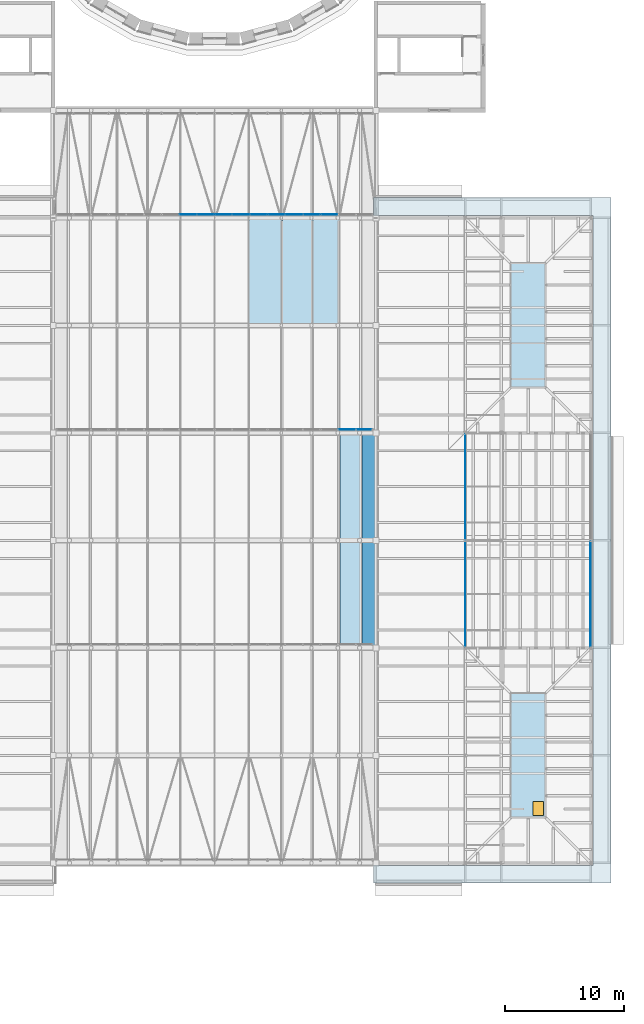
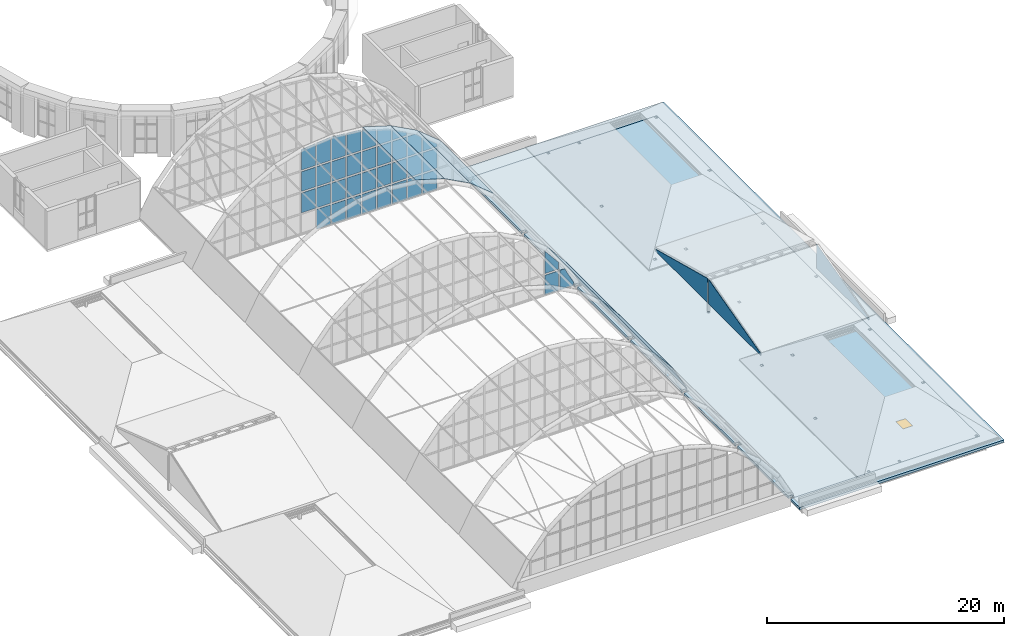
# One storey, part 79 of 121: 46 plates, 2 slabs, 1 window, 1 opening, 2 elements without a shape of their own.
"""IFC4 building model written with IfcOpenShell, lengths in metres."""

from ifc_helpers import new_model, si_unit, direction, frame, origin, origin_2d, place, context, subcontext, project, spatial, polyline, rectangle, outline, extrude, material, layer, layer_set, type_object, element, fill, aggregate, save


model = new_model("IFC4")

# Units and contexts
model_context = context("Model", 3, precision=1e-05, world=origin(), true_north=direction((0.0, 1.0)))
body_context = subcontext(model_context, "Body", "Model", "MODEL_VIEW")
ifc_project = project(units=[si_unit("LENGTHUNIT", "METRE"), si_unit("AREAUNIT", "SQUARE_METRE"), si_unit("VOLUMEUNIT", "CUBIC_METRE"), si_unit("PLANEANGLEUNIT", "RADIAN"), si_unit("MASSUNIT", "GRAM", prefix="KILO")], contexts=[model_context])

# Site, building, storey
site_placement = place(None, origin())
site = spatial("IfcSite", under=ifc_project, at=site_placement, CompositionType="ELEMENT")
building_placement = place(site_placement, origin())
building = spatial("IfcBuilding", under=site, at=building_placement, Name="Golden Quay Civic Hall", CompositionType="ELEMENT")
storey_placement = place(building_placement, frame((0.0, 0.0, 18.60009765625)))
storey = spatial("IfcBuildingStorey", under=building, at=storey_placement, Name="L04", CompositionType="ELEMENT", Elevation=18.60009765625)

# Slab, opening, window
ifc_material_1 = material(Name="Concrete C35/45", Category="concrete")
ifc_layer_1 = layer(ifc_material_1, 0.25)
ifc_layer_set_1 = layer_set([ifc_layer_1], Name="Composite roof 250")
slab_type_1 = type_object("IfcSlabType", Name="Composite roof 250", PredefinedType="ROOF", material=ifc_layer_set_1)
slab_1_placement = place(storey_placement, frame((0.0, 0.0, -0.25)))
slab_1 = element("IfcSlab", 1, at=slab_1_placement, inside=storey, type_object=slab_type_1, Name="EM roof", PredefinedType="ROOF", context=body_context, shape_type="SweptSolid", body=[
    extrude(outline(polyline([(99.219970703125, 36.219970703125), (98.800048828125, 36.219970703125), (98.800048828125, 44.780029296875), (99.219970703125, 44.780029296875), (99.219970703125, 45.219970703125), (98.800048828125, 45.219970703125), (98.800048828125, 53.780029296875), (99.219970703125, 53.780029296875), (99.219970703125, 54.199951171875), (117.199951171875, 54.199951171875), (117.199951171875, -0.199951171875), (99.219970703125, -0.199951171875), (99.219970703125, 0.219970703125), (98.800048828125, 0.219970703125), (98.800048828125, 8.780029296875), (99.219970703125, 8.780029296875), (99.219970703125, 9.219970703125), (98.800048828125, 9.219970703125), (98.800048828125, 17.780029296875), (99.219970703125, 17.780029296875), (99.219970703125, 18.219970703125), (98.800048828125, 18.219970703125), (98.800048828125, 26.780029296875), (99.219970703125, 26.780029296875), (99.219970703125, 27.219970703125), (98.800048828125, 27.219970703125), (98.800048828125, 35.780029296875), (99.219970703125, 35.780029296875), (99.219970703125, 36.219970703125)]), holes=[polyline([(106.385009765625, -0.110107421875), (106.614990234375, -0.110107421875), (106.614990234375, 0.110107421875), (106.385009765625, 0.110107421875), (106.385009765625, -0.110107421875)]), polyline([(106.364990234375, 9.1298828125), (106.364990234375, 8.8701171875), (106.635009765625, 8.8701171875), (106.635009765625, 9.1298828125), (106.364990234375, 9.1298828125)]), polyline([(106.635009765625, 18.1298828125), (106.364990234375, 18.1298828125), (106.364990234375, 17.8701171875), (106.635009765625, 17.8701171875), (106.635009765625, 18.1298828125)]), polyline([(109.614990234375, -0.110107421875), (109.614990234375, 0.110107421875), (109.385009765625, 0.110107421875), (109.385009765625, -0.110107421875), (109.614990234375, -0.110107421875)]), polyline([(109.364990234375, 17.8701171875), (109.635009765625, 17.8701171875), (109.635009765625, 18.1298828125), (109.364990234375, 18.1298828125), (109.364990234375, 17.8701171875)]), polyline([(116.885009765625, 0.110107421875), (116.885009765625, -0.110107421875), (117.114990234375, -0.110107421875), (117.114990234375, 0.110107421875), (116.885009765625, 0.110107421875)]), polyline([(117.114990234375, 9.110107421875), (116.885009765625, 9.110107421875), (116.885009765625, 8.889892578125), (117.114990234375, 8.889892578125), (117.114990234375, 9.110107421875)]), polyline([(117.114990234375, 17.889892578125), (117.114990234375, 18.110107421875), (116.885009765625, 18.110107421875), (116.885009765625, 17.889892578125), (117.114990234375, 17.889892578125)]), polyline([(106.364990234375, 35.8701171875), (106.635009765625, 35.8701171875), (106.635009765625, 36.1298828125), (106.364990234375, 36.1298828125), (106.364990234375, 35.8701171875)]), polyline([(106.364990234375, 45.1298828125), (106.364990234375, 44.8701171875), (106.635009765625, 44.8701171875), (106.635009765625, 45.1298828125), (106.364990234375, 45.1298828125)]), polyline([(106.614990234375, 54.110107421875), (106.385009765625, 54.110107421875), (106.385009765625, 53.889892578125), (106.614990234375, 53.889892578125), (106.614990234375, 54.110107421875)]), polyline([(109.635009765625, 35.8701171875), (109.635009765625, 36.1298828125), (109.364990234375, 36.1298828125), (109.364990234375, 35.8701171875), (109.635009765625, 35.8701171875)]), polyline([(109.385009765625, 53.889892578125), (109.614990234375, 53.889892578125), (109.614990234375, 54.110107421875), (109.385009765625, 54.110107421875), (109.385009765625, 53.889892578125)]), polyline([(116.885009765625, 36.110107421875), (116.885009765625, 35.889892578125), (117.114990234375, 35.889892578125), (117.114990234375, 36.110107421875), (116.885009765625, 36.110107421875)]), polyline([(117.114990234375, 45.110107421875), (116.885009765625, 45.110107421875), (116.885009765625, 44.889892578125), (117.114990234375, 44.889892578125), (117.114990234375, 45.110107421875)]), polyline([(117.114990234375, 53.889892578125), (117.114990234375, 54.110107421875), (116.885009765625, 54.110107421875), (116.885009765625, 53.889892578125), (117.114990234375, 53.889892578125)]), polyline([(106.385009765625, 26.885009765625), (106.614990234375, 26.885009765625), (106.614990234375, 27.114990234375), (106.385009765625, 27.114990234375), (106.385009765625, 26.885009765625)]), polyline([(109.385009765625, 27.114990234375), (109.385009765625, 26.885009765625), (109.614990234375, 26.885009765625), (109.614990234375, 27.114990234375), (109.385009765625, 27.114990234375)]), polyline([(117.114990234375, 27.114990234375), (116.885009765625, 27.114990234375), (116.885009765625, 26.885009765625), (117.114990234375, 26.885009765625), (117.114990234375, 27.114990234375)])]), origin(), (0.0, 0.0, 1.0), 0.25),
])
opening_placement = place(slab_1_placement, frame((112.60009765625, 4.550048828125, 0.0)))
opening = element("IfcOpeningElement", 2, at=opening_placement, cuts=slab_1, Name="Opening WN12", PredefinedType="OPENING", context=body_context, shape_type="SweptSolid", body=[
    extrude(rectangle(XDim=0.89990234375, YDim=1.199951171875, at=origin_2d()), origin(), (0.0, 0.0, 1.0), 0.25),
])
ifc_material_2 = material(Name="Aluminium, insulated", Category="aluminium")
window_type = type_object("IfcWindowType", Name="Roof access hatch 900 x 1200", PartitioningType="SINGLE_PANEL", PredefinedType="SKYLIGHT", material=ifc_material_2)
window_placement = place(opening_placement, frame((0.0, 0.0, 0.199951171875)))
window = element("IfcWindow", 3, at=window_placement, inside=storey, type_object=window_type, Name="Roof access hatch 900 x 1200 L04 2", OverallHeight=1.199951171875, OverallWidth=0.89990234375, PartitioningType="SINGLE_PANEL", PredefinedType="SKYLIGHT", context=body_context, shape_type="SweptSolid", body=[
    extrude(rectangle(XDim=0.89990234375, YDim=1.199951171875, at=origin_2d()), origin(), (0.0, 0.0, 1.0), 0.050048828125),
])
fill(opening, window)

# Slab
ifc_material_3 = material(Name="Concrete C35/45", Category="concrete")
ifc_layer_2 = layer(ifc_material_3, 0.25)
ifc_layer_set_2 = layer_set([ifc_layer_2], Name="Eave roof slab 250")
slab_type_2 = type_object("IfcSlabType", Name="Eave roof slab 250", PredefinedType="ROOF", material=ifc_layer_set_2)
slab_2_placement = place(storey_placement, frame((0.0, 0.0, -0.25)))
element("IfcSlab", 4, at=slab_2_placement, inside=storey, type_object=slab_type_2, Name="Eave roof slab 250 L04 2", PredefinedType="ROOF", context=body_context, shape_type="SweptSolid", body=[
    extrude(outline(polyline([(117.199951171875, 54.199951171875), (98.800048828125, 54.199951171875), (98.800048828125, 55.699951171875), (117.199951171875, 55.699951171875), (118.699951171875, 55.699951171875), (118.699951171875, 54.199951171875), (118.699951171875, -0.199951171875), (118.699951171875, -1.699951171875), (117.199951171875, -1.699951171875), (98.800048828125, -1.699951171875), (98.800048828125, -0.199951171875), (117.199951171875, -0.199951171875), (117.199951171875, 54.199951171875)])), origin(), (0.0, 0.0, 1.0), 0.25),
])

# Curtain wall, plates
ifc_material_4 = material(Name="Fire-resisting glass and steel", Category="steel")
curtain_wall_type = type_object("IfcCurtainWallType", Name="Fire-resisting glazed curtain wall EI 120", PredefinedType="NOTDEFINED", material=ifc_material_4)
curtain_wall_1_placement = place(storey_placement, origin())
curtain_wall_1 = element("IfcCurtainWall", 5, at=curtain_wall_1_placement, inside=storey, type_object=curtain_wall_type, Name="Curtain wall tympanum fire2", PredefinedType="NOTDEFINED")
ifc_material_5 = material(Name="Fire-resisting laminated glass", Category="glass")
ifc_layer_3 = layer(ifc_material_5, 0.0400390625)
ifc_layer_set_3 = layer_set([ifc_layer_3], Name="Fire-resisting glazed panel 40")
plate_type_1 = type_object("IfcPlateType", Name="Fire-resisting glazed panel 40", PredefinedType="CURTAIN_PANEL", material=ifc_layer_set_3)
plate_1_placement = place(storey_placement, frame((97.26220703125, 36.2900390625, -0.130126953125), z_axis=(0.0, 1.0, 0.0), x_axis=(-1.0, 0.0, 0.0)))
plate_1 = element("IfcPlate", 6, at=plate_1_placement, type_object=plate_type_1, Name="Tympanum glass 17.1", PredefinedType="CURTAIN_PANEL", context=body_context, shape_type="SweptSolid", body=[
    extrude(outline(polyline([(0.0, 0.0), (1.357666015625, 0.0), (1.357666015625, 2.02001953125), (0.0, 2.02001953125), (0.0, 0.0)])), origin(), (0.0, 0.0, -1.0), 0.0400390625),
])
plate_2_placement = place(storey_placement, frame((97.26220703125, 36.2900390625, 2.06982421875), z_axis=(0.0, 1.0, 0.0), x_axis=(-1.0, 0.0, 0.0)))
plate_2 = element("IfcPlate", 7, at=plate_2_placement, type_object=plate_type_1, Name="Tympanum glass 17.2", PredefinedType="CURTAIN_PANEL", context=body_context, shape_type="SweptSolid", body=[
    extrude(outline(polyline([(0.0, 0.0), (1.357666015625, 0.0), (1.357666015625, 2.3271484375), (0.0, 0.677978515625), (0.0, 0.0)])), origin(), (0.0, 0.0, -1.0), 0.0400390625),
])
plate_3_placement = place(storey_placement, frame((98.679931640625, 36.2900390625, -0.130126953125), z_axis=(0.0, 1.0, 0.0), x_axis=(-1.0, 0.0, 0.0)))
plate_3 = element("IfcPlate", 8, at=plate_3_placement, type_object=plate_type_1, Name="Tympanum glass 18.1", PredefinedType="CURTAIN_PANEL", context=body_context, shape_type="SweptSolid", body=[
    extrude(outline(polyline([(0.0, 0.0), (1.297607421875, 0.0), (1.297607421875, 2.02001953125), (0.8349609375, 2.02001953125), (0.0, 0.37646484375), (0.0, 0.0)])), origin(), (0.0, 0.0, -1.0), 0.0400390625),
])
aggregate(curtain_wall_1, [plate_1, plate_2, plate_3])

curtain_wall_2_placement = place(storey_placement, origin())
curtain_wall_2 = element("IfcCurtainWall", 9, at=curtain_wall_2_placement, inside=storey, type_object=curtain_wall_type, Name="Curtain wall tympanum fire3", PredefinedType="NOTDEFINED")
plate_4_placement = place(storey_placement, frame((83.962158203125, 54.2900390625, 2.06982421875), z_axis=(0.0, 1.0, 0.0), x_axis=(-1.0, 0.0, 0.0)))
plate_4 = element("IfcPlate", 10, at=plate_4_placement, type_object=plate_type_1, Name="Tympanum glass 8.2", PredefinedType="CURTAIN_PANEL", context=body_context, shape_type="SweptSolid", body=[
    extrude(outline(polyline([(0.0, 0.0), (1.357666015625, 0.0), (1.357666015625, 2.02001953125), (0.0, 2.02001953125), (0.0, 0.0)])), origin(), (0.0, 0.0, -1.0), 0.0400390625),
])
plate_5_placement = place(storey_placement, frame((83.962158203125, 54.2900390625, 4.27001953125), z_axis=(0.0, 1.0, 0.0), x_axis=(-1.0, 0.0, 0.0)))
plate_5 = element("IfcPlate", 11, at=plate_5_placement, type_object=plate_type_1, Name="Tympanum glass 8.3", PredefinedType="CURTAIN_PANEL", context=body_context, shape_type="SweptSolid", body=[
    extrude(outline(polyline([(0.0, 0.0), (1.357666015625, 0.0), (1.357666015625, 2.019775390625), (0.0, 2.019775390625), (0.0, 0.0)])), origin(), (0.0, 0.0, -1.0), 0.0400390625),
])
plate_6_placement = place(storey_placement, frame((83.962158203125, 54.2900390625, 6.469970703125), z_axis=(0.0, 1.0, 0.0), x_axis=(-1.0, 0.0, 0.0)))
plate_6 = element("IfcPlate", 12, at=plate_6_placement, type_object=plate_type_1, Name="Tympanum glass 8.4", PredefinedType="CURTAIN_PANEL", context=body_context, shape_type="SweptSolid", body=[
    extrude(outline(polyline([(0.0, 0.0), (1.357666015625, 0.0), (1.357666015625, 2.103271484375), (1.310302734375, 2.11767578125), (0.0, 2.254638671875), (0.0, 0.0)])), origin(), (0.0, 0.0, -1.0), 0.0400390625),
])
plate_7_placement = place(storey_placement, frame((85.43994140625, 54.2900390625, -0.130126953125), z_axis=(0.0, 1.0, 0.0), x_axis=(-1.0, 0.0, 0.0)))
plate_7 = element("IfcPlate", 13, at=plate_7_placement, type_object=plate_type_1, Name="Tympanum glass 9.1", PredefinedType="CURTAIN_PANEL", context=body_context, shape_type="SweptSolid", body=[
    extrude(outline(polyline([(0.0, 0.0), (1.357666015625, 0.0), (1.357666015625, 2.02001953125), (0.0, 2.02001953125), (0.0, 0.0)])), origin(), (0.0, 0.0, -1.0), 0.0400390625),
])
plate_8_placement = place(storey_placement, frame((85.43994140625, 54.2900390625, 2.06982421875), z_axis=(0.0, 1.0, 0.0), x_axis=(-1.0, 0.0, 0.0)))
plate_8 = element("IfcPlate", 14, at=plate_8_placement, type_object=plate_type_1, Name="Tympanum glass 9.2", PredefinedType="CURTAIN_PANEL", context=body_context, shape_type="SweptSolid", body=[
    extrude(outline(polyline([(0.0, 0.0), (1.357666015625, 0.0), (1.357666015625, 2.02001953125), (0.0, 2.02001953125), (0.0, 0.0)])), origin(), (0.0, 0.0, -1.0), 0.0400390625),
])
plate_9_placement = place(storey_placement, frame((85.43994140625, 54.2900390625, 4.27001953125), z_axis=(0.0, 1.0, 0.0), x_axis=(-1.0, 0.0, 0.0)))
plate_9 = element("IfcPlate", 15, at=plate_9_placement, type_object=plate_type_1, Name="Tympanum glass 9.3", PredefinedType="CURTAIN_PANEL", context=body_context, shape_type="SweptSolid", body=[
    extrude(outline(polyline([(0.0, 0.0), (1.357666015625, 0.0), (1.357666015625, 2.019775390625), (0.0, 2.019775390625), (0.0, 0.0)])), origin(), (0.0, 0.0, -1.0), 0.0400390625),
])
plate_10_placement = place(storey_placement, frame((85.43994140625, 54.2900390625, 6.469970703125), z_axis=(0.0, 1.0, 0.0), x_axis=(-1.0, 0.0, 0.0)))
plate_10 = element("IfcPlate", 16, at=plate_10_placement, type_object=plate_type_1, Name="Tympanum glass 9.4", PredefinedType="CURTAIN_PANEL", context=body_context, shape_type="SweptSolid", body=[
    extrude(outline(polyline([(0.0, 0.0), (1.357666015625, 0.0), (1.357666015625, 2.266357421875), (0.0, 2.39990234375), (0.0, 0.0)])), origin(), (0.0, 0.0, -1.0), 0.0400390625),
])
plate_11_placement = place(storey_placement, frame((86.917724609375, 54.2900390625, -0.130126953125), z_axis=(0.0, 1.0, 0.0), x_axis=(-1.0, 0.0, 0.0)))
plate_11 = element("IfcPlate", 17, at=plate_11_placement, type_object=plate_type_1, Name="Tympanum glass 10.1", PredefinedType="CURTAIN_PANEL", context=body_context, shape_type="SweptSolid", body=[
    extrude(outline(polyline([(0.0, 0.0), (1.357666015625, 0.0), (1.357666015625, 2.02001953125), (0.0, 2.02001953125), (0.0, 0.0)])), origin(), (0.0, 0.0, -1.0), 0.0400390625),
])
plate_12_placement = place(storey_placement, frame((86.917724609375, 54.2900390625, 2.06982421875), z_axis=(0.0, 1.0, 0.0), x_axis=(-1.0, 0.0, 0.0)))
plate_12 = element("IfcPlate", 18, at=plate_12_placement, type_object=plate_type_1, Name="Tympanum glass 10.2", PredefinedType="CURTAIN_PANEL", context=body_context, shape_type="SweptSolid", body=[
    extrude(outline(polyline([(0.0, 0.0), (1.357666015625, 0.0), (1.357666015625, 2.02001953125), (0.0, 2.02001953125), (0.0, 0.0)])), origin(), (0.0, 0.0, -1.0), 0.0400390625),
])
plate_13_placement = place(storey_placement, frame((86.917724609375, 54.2900390625, 4.27001953125), z_axis=(0.0, 1.0, 0.0), x_axis=(-1.0, 0.0, 0.0)))
plate_13 = element("IfcPlate", 19, at=plate_13_placement, type_object=plate_type_1, Name="Tympanum glass 10.3", PredefinedType="CURTAIN_PANEL", context=body_context, shape_type="SweptSolid", body=[
    extrude(outline(polyline([(0.0, 0.0), (1.357666015625, 0.0), (1.357666015625, 2.019775390625), (0.0, 2.019775390625), (0.0, 0.0)])), origin(), (0.0, 0.0, -1.0), 0.0400390625),
])
plate_14_placement = place(storey_placement, frame((86.917724609375, 54.2900390625, 6.469970703125), z_axis=(0.0, 1.0, 0.0), x_axis=(-1.0, 0.0, 0.0)))
plate_14 = element("IfcPlate", 20, at=plate_14_placement, type_object=plate_type_1, Name="Tympanum glass 10.4", PredefinedType="CURTAIN_PANEL", context=body_context, shape_type="SweptSolid", body=[
    extrude(outline(polyline([(0.0, 0.0), (1.357666015625, 0.0), (1.357666015625, 2.39990234375), (0.0, 2.266357421875), (0.0, 0.0)])), origin(), (0.0, 0.0, -1.0), 0.0400390625),
])
plate_15_placement = place(storey_placement, frame((88.3955078125, 54.2900390625, -0.130126953125), z_axis=(0.0, 1.0, 0.0), x_axis=(-1.0, 0.0, 0.0)))
plate_15 = element("IfcPlate", 21, at=plate_15_placement, type_object=plate_type_1, Name="Tympanum glass 11.1", PredefinedType="CURTAIN_PANEL", context=body_context, shape_type="SweptSolid", body=[
    extrude(outline(polyline([(0.0, 0.0), (1.357666015625, 0.0), (1.357666015625, 2.02001953125), (0.0, 2.02001953125), (0.0, 0.0)])), origin(), (0.0, 0.0, -1.0), 0.0400390625),
])
plate_16_placement = place(storey_placement, frame((88.3955078125, 54.2900390625, 2.06982421875), z_axis=(0.0, 1.0, 0.0), x_axis=(-1.0, 0.0, 0.0)))
plate_16 = element("IfcPlate", 22, at=plate_16_placement, type_object=plate_type_1, Name="Tympanum glass 11.2", PredefinedType="CURTAIN_PANEL", context=body_context, shape_type="SweptSolid", body=[
    extrude(outline(polyline([(0.0, 0.0), (1.357666015625, 0.0), (1.357666015625, 2.02001953125), (0.0, 2.02001953125), (0.0, 0.0)])), origin(), (0.0, 0.0, -1.0), 0.0400390625),
])
plate_17_placement = place(storey_placement, frame((88.3955078125, 54.2900390625, 4.27001953125), z_axis=(0.0, 1.0, 0.0), x_axis=(-1.0, 0.0, 0.0)))
plate_17 = element("IfcPlate", 23, at=plate_17_placement, type_object=plate_type_1, Name="Tympanum glass 11.3", PredefinedType="CURTAIN_PANEL", context=body_context, shape_type="SweptSolid", body=[
    extrude(outline(polyline([(0.0, 0.0), (1.357666015625, 0.0), (1.357666015625, 2.019775390625), (0.0, 2.019775390625), (0.0, 0.0)])), origin(), (0.0, 0.0, -1.0), 0.0400390625),
])
plate_18_placement = place(storey_placement, frame((88.3955078125, 54.2900390625, 6.469970703125), z_axis=(0.0, 1.0, 0.0), x_axis=(-1.0, 0.0, 0.0)))
plate_18 = element("IfcPlate", 24, at=plate_18_placement, type_object=plate_type_1, Name="Tympanum glass 11.4", PredefinedType="CURTAIN_PANEL", context=body_context, shape_type="SweptSolid", body=[
    extrude(outline(polyline([(0.0, 0.0), (1.357666015625, 0.0), (1.357666015625, 2.254638671875), (0.04736328125, 2.125732421875), (0.0, 2.103271484375), (0.0, 0.0)])), origin(), (0.0, 0.0, -1.0), 0.0400390625),
])
plate_19_placement = place(storey_placement, frame((89.873291015625, 54.2900390625, -0.130126953125), z_axis=(0.0, 1.0, 0.0), x_axis=(-1.0, 0.0, 0.0)))
plate_19 = element("IfcPlate", 25, at=plate_19_placement, type_object=plate_type_1, Name="Tympanum glass 12.1", PredefinedType="CURTAIN_PANEL", context=body_context, shape_type="SweptSolid", body=[
    extrude(outline(polyline([(0.0, 0.0), (1.357666015625, 0.0), (1.357666015625, 2.02001953125), (0.0, 2.02001953125), (0.0, 0.0)])), origin(), (0.0, 0.0, -1.0), 0.0400390625),
])
plate_20_placement = place(storey_placement, frame((89.873291015625, 54.2900390625, 2.06982421875), z_axis=(0.0, 1.0, 0.0), x_axis=(-1.0, 0.0, 0.0)))
plate_20 = element("IfcPlate", 26, at=plate_20_placement, type_object=plate_type_1, Name="Tympanum glass 12.2", PredefinedType="CURTAIN_PANEL", context=body_context, shape_type="SweptSolid", body=[
    extrude(outline(polyline([(0.0, 0.0), (1.357666015625, 0.0), (1.357666015625, 2.02001953125), (0.0, 2.02001953125), (0.0, 0.0)])), origin(), (0.0, 0.0, -1.0), 0.0400390625),
])
plate_21_placement = place(storey_placement, frame((89.873291015625, 54.2900390625, 4.27001953125), z_axis=(0.0, 1.0, 0.0), x_axis=(-1.0, 0.0, 0.0)))
plate_21 = element("IfcPlate", 27, at=plate_21_placement, type_object=plate_type_1, Name="Tympanum glass 12.3", PredefinedType="CURTAIN_PANEL", context=body_context, shape_type="SweptSolid", body=[
    extrude(outline(polyline([(0.0, 0.0), (1.357666015625, 0.0), (1.357666015625, 2.019775390625), (0.0, 2.019775390625), (0.0, 0.0)])), origin(), (0.0, 0.0, -1.0), 0.0400390625),
])
plate_22_placement = place(storey_placement, frame((89.873291015625, 54.2900390625, 6.469970703125), z_axis=(0.0, 1.0, 0.0), x_axis=(-1.0, 0.0, 0.0)))
plate_22 = element("IfcPlate", 28, at=plate_22_placement, type_object=plate_type_1, Name="Tympanum glass 12.4", PredefinedType="CURTAIN_PANEL", context=body_context, shape_type="SweptSolid", body=[
    extrude(outline(polyline([(0.0, 0.0), (1.357666015625, 0.0), (1.357666015625, 2.06689453125), (0.0, 1.65576171875), (0.0, 0.0)])), origin(), (0.0, 0.0, -1.0), 0.0400390625),
])
plate_23_placement = place(storey_placement, frame((91.35107421875, 54.2900390625, -0.130126953125), z_axis=(0.0, 1.0, 0.0), x_axis=(-1.0, 0.0, 0.0)))
plate_23 = element("IfcPlate", 29, at=plate_23_placement, type_object=plate_type_1, Name="Tympanum glass 13.1", PredefinedType="CURTAIN_PANEL", context=body_context, shape_type="SweptSolid", body=[
    extrude(outline(polyline([(0.0, 0.0), (1.357666015625, 0.0), (1.357666015625, 2.02001953125), (0.0, 2.02001953125), (0.0, 0.0)])), origin(), (0.0, 0.0, -1.0), 0.0400390625),
])
plate_24_placement = place(storey_placement, frame((91.35107421875, 54.2900390625, 2.06982421875), z_axis=(0.0, 1.0, 0.0), x_axis=(-1.0, 0.0, 0.0)))
plate_24 = element("IfcPlate", 30, at=plate_24_placement, type_object=plate_type_1, Name="Tympanum glass 13.2", PredefinedType="CURTAIN_PANEL", context=body_context, shape_type="SweptSolid", body=[
    extrude(outline(polyline([(0.0, 0.0), (1.357666015625, 0.0), (1.357666015625, 2.02001953125), (0.0, 2.02001953125), (0.0, 0.0)])), origin(), (0.0, 0.0, -1.0), 0.0400390625),
])
plate_25_placement = place(storey_placement, frame((91.35107421875, 54.2900390625, 4.27001953125), z_axis=(0.0, 1.0, 0.0), x_axis=(-1.0, 0.0, 0.0)))
plate_25 = element("IfcPlate", 31, at=plate_25_placement, type_object=plate_type_1, Name="Tympanum glass 13.3", PredefinedType="CURTAIN_PANEL", context=body_context, shape_type="SweptSolid", body=[
    extrude(outline(polyline([(0.0, 0.0), (1.357666015625, 0.0), (1.357666015625, 2.019775390625), (0.0, 2.019775390625), (0.0, 0.0)])), origin(), (0.0, 0.0, -1.0), 0.0400390625),
])
plate_26_placement = place(storey_placement, frame((91.35107421875, 54.2900390625, 6.469970703125), z_axis=(0.0, 1.0, 0.0), x_axis=(-1.0, 0.0, 0.0)))
plate_26 = element("IfcPlate", 32, at=plate_26_placement, type_object=plate_type_1, Name="Tympanum glass 13.4", PredefinedType="CURTAIN_PANEL", context=body_context, shape_type="SweptSolid", body=[
    extrude(outline(polyline([(0.0, 0.0), (1.357666015625, 0.0), (1.357666015625, 1.619384765625), (0.263671875, 1.288330078125), (0.0, 1.129638671875), (0.0, 0.0)])), origin(), (0.0, 0.0, -1.0), 0.0400390625),
])
plate_27_placement = place(storey_placement, frame((92.828857421875, 54.2900390625, -0.130126953125), z_axis=(0.0, 1.0, 0.0), x_axis=(-1.0, 0.0, 0.0)))
plate_27 = element("IfcPlate", 33, at=plate_27_placement, type_object=plate_type_1, Name="Tympanum glass 14.1", PredefinedType="CURTAIN_PANEL", context=body_context, shape_type="SweptSolid", body=[
    extrude(outline(polyline([(0.0, 0.0), (1.357666015625, 0.0), (1.357666015625, 2.02001953125), (0.0, 2.02001953125), (0.0, 0.0)])), origin(), (0.0, 0.0, -1.0), 0.0400390625),
])
plate_28_placement = place(storey_placement, frame((92.828857421875, 54.2900390625, 2.06982421875), z_axis=(0.0, 1.0, 0.0), x_axis=(-1.0, 0.0, 0.0)))
plate_28 = element("IfcPlate", 34, at=plate_28_placement, type_object=plate_type_1, Name="Tympanum glass 14.2", PredefinedType="CURTAIN_PANEL", context=body_context, shape_type="SweptSolid", body=[
    extrude(outline(polyline([(0.0, 0.0), (1.357666015625, 0.0), (1.357666015625, 2.02001953125), (0.0, 2.02001953125), (0.0, 0.0)])), origin(), (0.0, 0.0, -1.0), 0.0400390625),
])
plate_29_placement = place(storey_placement, frame((92.828857421875, 54.2900390625, 4.27001953125), z_axis=(0.0, 1.0, 0.0), x_axis=(-1.0, 0.0, 0.0)))
plate_29 = element("IfcPlate", 35, at=plate_29_placement, type_object=plate_type_1, Name="Tympanum glass 14.3", PredefinedType="CURTAIN_PANEL", context=body_context, shape_type="SweptSolid", body=[
    extrude(outline(polyline([(0.0, 0.0), (1.357666015625, 0.0), (1.357666015625, 2.019775390625), (0.0, 2.019775390625), (0.0, 0.0)])), origin(), (0.0, 0.0, -1.0), 0.0400390625),
])
plate_30_placement = place(storey_placement, frame((92.828857421875, 54.2900390625, 6.469970703125), z_axis=(0.0, 1.0, 0.0), x_axis=(-1.0, 0.0, 0.0)))
plate_30 = element("IfcPlate", 36, at=plate_30_placement, type_object=plate_type_1, Name="Tympanum glass 14.4", PredefinedType="CURTAIN_PANEL", context=body_context, shape_type="SweptSolid", body=[
    extrude(outline(polyline([(0.0, 0.0), (1.357666015625, 0.0), (1.357666015625, 1.065673828125), (0.0, 0.34130859375), (0.0, 0.0)])), origin(), (0.0, 0.0, -1.0), 0.0400390625),
])
plate_31_placement = place(storey_placement, frame((94.306640625, 54.2900390625, -0.130126953125), z_axis=(0.0, 1.0, 0.0), x_axis=(-1.0, 0.0, 0.0)))
plate_31 = element("IfcPlate", 37, at=plate_31_placement, type_object=plate_type_1, Name="Tympanum glass 15.1", PredefinedType="CURTAIN_PANEL", context=body_context, shape_type="SweptSolid", body=[
    extrude(outline(polyline([(0.0, 0.0), (1.357666015625, 0.0), (1.357666015625, 2.02001953125), (0.0, 2.02001953125), (0.0, 0.0)])), origin(), (0.0, 0.0, -1.0), 0.0400390625),
])
plate_32_placement = place(storey_placement, frame((94.306640625, 54.2900390625, 2.06982421875), z_axis=(0.0, 1.0, 0.0), x_axis=(-1.0, 0.0, 0.0)))
plate_32 = element("IfcPlate", 38, at=plate_32_placement, type_object=plate_type_1, Name="Tympanum glass 15.2", PredefinedType="CURTAIN_PANEL", context=body_context, shape_type="SweptSolid", body=[
    extrude(outline(polyline([(0.0, 0.0), (1.357666015625, 0.0), (1.357666015625, 2.02001953125), (0.0, 2.02001953125), (0.0, 0.0)])), origin(), (0.0, 0.0, -1.0), 0.0400390625),
])
plate_33_placement = place(storey_placement, frame((94.306640625, 54.2900390625, 4.27001953125), z_axis=(0.0, 1.0, 0.0), x_axis=(-1.0, 0.0, 0.0)))
plate_33 = element("IfcPlate", 39, at=plate_33_placement, type_object=plate_type_1, Name="Tympanum glass 15.3", PredefinedType="CURTAIN_PANEL", context=body_context, shape_type="SweptSolid", body=[
    extrude(outline(polyline([(0.0, 0.0), (1.357666015625, 0.0), (1.357666015625, 2.019775390625), (0.57470703125, 2.019775390625), (0.0, 1.522705078125), (0.0, 0.0)])), origin(), (0.0, 0.0, -1.0), 0.0400390625),
])
plate_34_placement = place(storey_placement, frame((95.784423828125, 54.2900390625, -0.130126953125), z_axis=(0.0, 1.0, 0.0), x_axis=(-1.0, 0.0, 0.0)))
plate_34 = element("IfcPlate", 40, at=plate_34_placement, type_object=plate_type_1, Name="Tympanum glass 16.1", PredefinedType="CURTAIN_PANEL", context=body_context, shape_type="SweptSolid", body=[
    extrude(outline(polyline([(0.0, 0.0), (1.357666015625, 0.0), (1.357666015625, 2.02001953125), (0.0, 2.02001953125), (0.0, 0.0)])), origin(), (0.0, 0.0, -1.0), 0.0400390625),
])
plate_35_placement = place(storey_placement, frame((95.784423828125, 54.2900390625, 2.06982421875), z_axis=(0.0, 1.0, 0.0), x_axis=(-1.0, 0.0, 0.0)))
plate_35 = element("IfcPlate", 41, at=plate_35_placement, type_object=plate_type_1, Name="Tympanum glass 16.2", PredefinedType="CURTAIN_PANEL", context=body_context, shape_type="SweptSolid", body=[
    extrude(outline(polyline([(0.0, 0.0), (1.357666015625, 0.0), (1.357666015625, 2.02001953125), (0.0, 2.02001953125), (0.0, 0.0)])), origin(), (0.0, 0.0, -1.0), 0.0400390625),
])
plate_36_placement = place(storey_placement, frame((95.784423828125, 54.2900390625, 4.27001953125), z_axis=(0.0, 1.0, 0.0), x_axis=(-1.0, 0.0, 0.0)))
plate_36 = element("IfcPlate", 42, at=plate_36_placement, type_object=plate_type_1, Name="Tympanum glass 16.3", PredefinedType="CURTAIN_PANEL", context=body_context, shape_type="SweptSolid", body=[
    extrude(outline(polyline([(0.0, 0.0), (1.357666015625, 0.0), (1.357666015625, 1.424560546875), (0.0, 0.31298828125), (0.0, 0.0)])), origin(), (0.0, 0.0, -1.0), 0.0400390625),
])
aggregate(curtain_wall_2, [plate_4, plate_5, plate_6, plate_7, plate_8, plate_9, plate_10, plate_11, plate_12, plate_13, plate_14, plate_15, plate_16, plate_17, plate_18, plate_19, plate_20, plate_21, plate_22, plate_23, plate_24, plate_25, plate_26, plate_27, plate_28, plate_29, plate_30, plate_31, plate_32, plate_33, plate_34, plate_35, plate_36])

# Plates
ifc_material_6 = material(Name="Laminated glass", Category="glass")
ifc_layer_4 = layer(ifc_material_6, 0.030029296875)
ifc_layer_set_4 = layer_set([ifc_layer_4], Name="Laminated roof glazing 30")
plate_type_2 = type_object("IfcPlateType", Name="Laminated roof glazing 30", PredefinedType="SHEET", material=ifc_layer_set_4)
plate_37_placement = place(storey_placement, frame((106.5, 18.10009765625, 0.919921875), z_axis=(1.0, 0.0, 0.0), x_axis=(0.0, 1.0, 0.0)))
element("IfcPlate", 43, at=plate_37_placement, inside=storey, type_object=plate_type_2, Name="Gable end glazing 1 south", PredefinedType="SHEET", context=body_context, shape_type="SweptSolid", body=[
    extrude(outline(polyline([(0.0, 0.0), (8.7998046875, 0.0), (8.7998046875, 2.508544921875), (0.0, 0.199462890625), (0.0, 0.0)])), origin(), (0.0, 0.0, -1.0), 0.030029296875),
])
plate_38_placement = place(storey_placement, frame((106.5, 27.10009765625, 0.919921875), z_axis=(1.0, 0.0, 0.0), x_axis=(0.0, 1.0, 0.0)))
element("IfcPlate", 44, at=plate_38_placement, inside=storey, type_object=plate_type_2, Name="Gable end glazing 1 north", PredefinedType="SHEET", context=body_context, shape_type="SweptSolid", body=[
    extrude(outline(polyline([(0.0, 0.0), (8.7998046875, 0.0), (8.7998046875, 0.199462890625), (0.0, 2.508544921875), (0.0, 0.0)])), origin(), (0.0, 0.0, -1.0), 0.030029296875),
])
plate_39_placement = place(storey_placement, frame((117.0, 18.10009765625, 0.919921875), z_axis=(1.0, 0.0, 0.0), x_axis=(0.0, 1.0, 0.0)))
element("IfcPlate", 45, at=plate_39_placement, inside=storey, type_object=plate_type_2, Name="Gable end glazing 2 south", PredefinedType="SHEET", context=body_context, shape_type="SweptSolid", body=[
    extrude(outline(polyline([(0.0, 0.0), (8.7998046875, 0.0), (8.7998046875, 2.508544921875), (0.0, 0.199462890625), (0.0, 0.0)])), origin(), (0.0, 0.0, -1.0), 0.030029296875),
])
ifc_material_7 = material(Name="Laminated glass", Category="glass")
ifc_layer_5 = layer(ifc_material_7, 0.030029296875)
ifc_layer_set_5 = layer_set([ifc_layer_5], Name="Laminated vault glazing 30")
plate_type_3 = type_object("IfcPlateType", Name="Laminated vault glazing 30", PredefinedType="SHEET", material=ifc_layer_set_5)
plate_40_placement = place(storey_placement, frame((95.993896484375, 18.0, 4.994140625), z_axis=(0.7720006594, 0.0, 0.635621728614), x_axis=(0.635621728614, 0.0, -0.7720006594)))
element("IfcPlate", 46, at=plate_40_placement, inside=storey, type_object=plate_type_3, Name="Vault glazing 3.11", PredefinedType="SHEET", context=body_context, shape_type="SweptSolid", body=[
    extrude(outline(polyline([(0.0, 0.0), (2.901855520100459, 0.0), (2.901855520100459, 9.0), (0.0, 9.0), (0.0, 0.0)])), origin(), (0.0, 0.0, -1.0), 0.030029296875),
])
plate_41_placement = place(storey_placement, frame((97.841552734375, 18.0, 2.7490234375), z_axis=(0.881024300134, 0.0, 0.47307101219), x_axis=(0.47307101219, 0.0, -0.881024300134)))
element("IfcPlate", 47, at=plate_41_placement, inside=storey, type_object=plate_type_3, Name="Vault glazing 3.12", PredefinedType="SHEET", context=body_context, shape_type="SweptSolid", body=[
    extrude(outline(polyline([(0.0, 0.0), (2.9018956964211977, 0.0), (2.9018956964211977, 9.0), (0.0, 9.0), (0.0, 0.0)])), origin(), (0.0, 0.0, -1.0), 0.030029296875),
])
plate_42_placement = place(storey_placement, frame((95.993896484375, 27.0, 4.994140625), z_axis=(0.7720006594, 0.0, 0.635621728614), x_axis=(0.635621728614, 0.0, -0.7720006594)))
element("IfcPlate", 48, at=plate_42_placement, inside=storey, type_object=plate_type_3, Name="Vault glazing 4.11", PredefinedType="SHEET", context=body_context, shape_type="SweptSolid", body=[
    extrude(outline(polyline([(0.0, 0.0), (2.901855520100459, 0.0), (2.901855520100459, 9.0), (0.0, 9.0), (0.0, 0.0)])), origin(), (0.0, 0.0, -1.0), 0.030029296875),
])
plate_43_placement = place(storey_placement, frame((97.841552734375, 27.0, 2.7490234375), z_axis=(0.881024300134, 0.0, 0.47307101219), x_axis=(0.47307101219, 0.0, -0.881024300134)))
element("IfcPlate", 49, at=plate_43_placement, inside=storey, type_object=plate_type_3, Name="Vault glazing 4.12", PredefinedType="SHEET", context=body_context, shape_type="SweptSolid", body=[
    extrude(outline(polyline([(0.0, 0.0), (2.9018956964211977, 0.0), (2.9018956964211977, 9.0), (0.0, 9.0), (0.0, 0.0)])), origin(), (0.0, 0.0, -1.0), 0.030029296875),
])
plate_44_placement = place(storey_placement, frame((88.396484375, 45.0, 9.04833984375), z_axis=(0.289755197495, 0.0, 0.957100791727), x_axis=(0.957100791727, 0.0, -0.289755197495)))
element("IfcPlate", 50, at=plate_44_placement, inside=storey, type_object=plate_type_3, Name="Vault glazing 6.8", PredefinedType="SHEET", context=body_context, shape_type="SweptSolid", body=[
    extrude(outline(polyline([(0.0, 0.0), (2.9018299577295465, 0.0), (2.9018299577295465, 9.0), (0.0, 9.0), (0.0, 0.0)])), origin(), (0.0, 0.0, -1.0), 0.030029296875),
])
plate_45_placement = place(storey_placement, frame((91.17919921875, 45.0, 8.205322265625), z_axis=(0.470649370087, 0.0, 0.882320333233), x_axis=(0.882320333233, 0.0, -0.470649370087)))
element("IfcPlate", 51, at=plate_45_placement, inside=storey, type_object=plate_type_3, Name="Vault glazing 6.9", PredefinedType="SHEET", context=body_context, shape_type="SweptSolid", body=[
    extrude(outline(polyline([(0.0, 0.0), (2.901783669649179, 0.0), (2.901783669649179, 9.0), (0.0, 9.0), (0.0, 0.0)])), origin(), (0.0, 0.0, -1.0), 0.030029296875),
])
plate_46_placement = place(storey_placement, frame((93.744384765625, 45.0, 6.83642578125), z_axis=(0.633448519494, 0.0, 0.77378483647), x_axis=(0.77378483647, 0.0, -0.633448519494)))
element("IfcPlate", 52, at=plate_46_placement, inside=storey, type_object=plate_type_3, Name="Vault glazing 6.10", PredefinedType="SHEET", context=body_context, shape_type="SweptSolid", body=[
    extrude(outline(polyline([(0.0, 0.0), (2.901790294014807, 0.0), (2.901790294014807, 9.0), (0.0, 9.0), (0.0, 0.0)])), origin(), (0.0, 0.0, -1.0), 0.030029296875),
])

save(model, "model.ifc")
